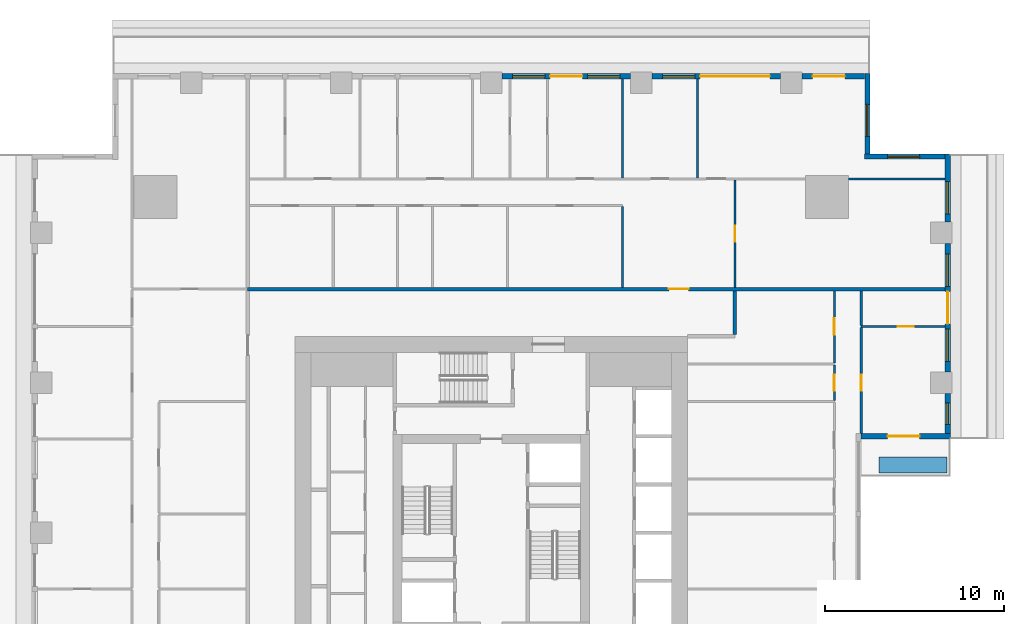
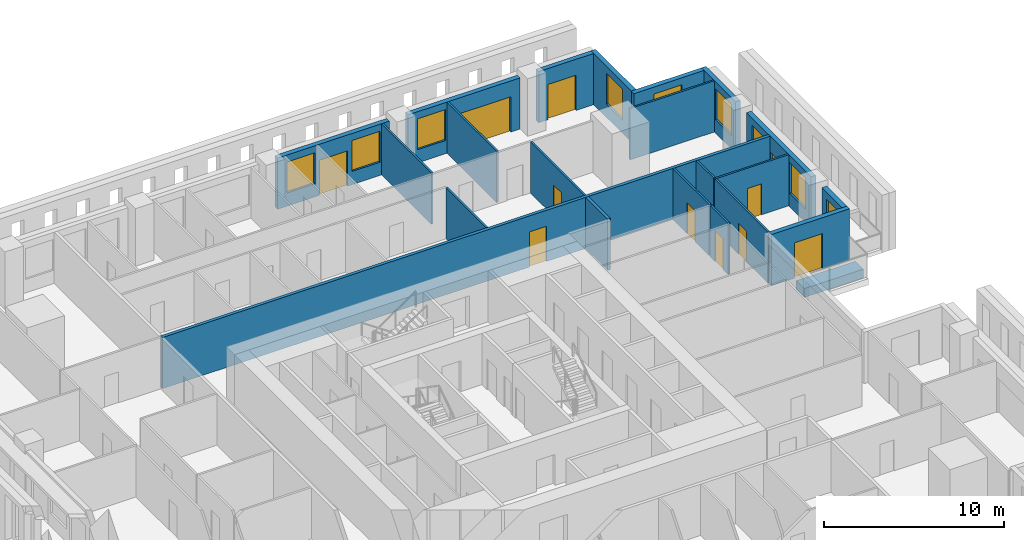
# One storey, part 8 of 15: 22 walls, 11 doors, 9 windows, 20 openings.
"""IFC4 building model written with IfcOpenShell, lengths in metres."""

from ifc_helpers import new_model, si_unit, direction, frame, frame_2d, origin, place, context, subcontext, project, spatial, rectangle, extrude, material, layer, layer_set, type_object, element, fill, save


model = new_model("IFC4")

# Units and contexts
model_context = context("Model", 3, precision=1e-05, world=origin(), true_north=direction((0.0, 1.0)))
body_context = subcontext(model_context, "Body", "Model", "MODEL_VIEW")
ifc_project = project(units=[si_unit("LENGTHUNIT", "METRE"), si_unit("AREAUNIT", "SQUARE_METRE"), si_unit("VOLUMEUNIT", "CUBIC_METRE"), si_unit("PLANEANGLEUNIT", "RADIAN"), si_unit("MASSUNIT", "GRAM", prefix="KILO")], contexts=[model_context])

# Site, building, storey
site_placement = place(None, origin())
site = spatial("IfcSite", under=ifc_project, at=site_placement, CompositionType="ELEMENT")
building_placement = place(site_placement, origin())
building = spatial("IfcBuilding", under=site, at=building_placement, Name="Khepri Terraces", CompositionType="ELEMENT")
storey_placement = place(building_placement, frame((0.0, 0.0, 196.199951171875)))
storey = spatial("IfcBuildingStorey", under=building, at=storey_placement, Name="L46", CompositionType="ELEMENT", Elevation=196.199951171875)

# Wall
ifc_material_1 = material(Name="Fire-rated gypsum plasterboard partition, mineral wool")
ifc_layer_1 = layer(ifc_material_1, 0.199951171875, Name="Fire-rated gypsum plasterboard partition, mineral wool")
ifc_layer_set_1 = layer_set([ifc_layer_1], Name="Fire-rated gypsum plasterboard partition, mineral wool")
wall_type_1 = type_object("IfcWallType", Name="WL-CORR-200", PredefinedType="PARTITIONING", material=ifc_layer_set_1)
wall_1_placement = place(storey_placement, frame((13.64990234375, 11.10009765625, 0.0), z_axis=(0.0, 0.0, 1.0), x_axis=(0.0, 1.0, 0.0)))
element("IfcWall", 1, at=wall_1_placement, inside=storey, type_object=wall_type_1, Name="Partition P-063 L46", PredefinedType="PARTITIONING", context=body_context, shape_type="SweptSolid", body=[
    extrude(rectangle(XDim=2.449951171875, YDim=0.199951171875, at=frame_2d((1.22509765625, 0.0))), origin(), (0.0, 0.0, 1.0), 3.47998046875),
])

# Wall, opening, door
wall_2_placement = place(storey_placement, frame((-13.64990234375, 13.64990234375, 0.0), z_axis=(0.0, 0.0, 1.0), x_axis=(1.0, 0.0, 0.0)))
wall_2 = element("IfcWall", 2, at=wall_2_placement, inside=storey, type_object=wall_type_1, Name="Partition P-069 L46", PredefinedType="PARTITIONING", context=body_context, shape_type="SweptSolid", body=[
    extrude(rectangle(XDim=39.06982421875, YDim=0.199951171875, at=frame_2d((19.534912109375, 0.0))), origin(), (0.0, 0.0, 1.0), 3.47998046875),
])
opening_1_placement = place(wall_2_placement, frame((23.60009765625, 0.0, 0.0)))
opening_1 = element("IfcOpeningElement", 3, at=opening_1_placement, cuts=wall_2, Name="Opening D1", PredefinedType="OPENING", context=body_context, shape_type="SweptSolid", body=[
    extrude(rectangle(XDim=1.10009765625, YDim=2.39990234375, at=frame_2d((0.550048828125, 1.199951171875))), frame((0.0, 0.10986328125, 0.0), z_axis=(0.0, -1.0, 0.0), x_axis=(1.0, 0.0, 0.0)), (0.0, 0.0, 1.0), 0.219970703125),
])
ifc_material_2 = material(Name="Solid-core timber door leaf, flat entrance door", Category="wood")
door_type_1 = type_object("IfcDoorType", Name="DR-ENT-1100", OperationType="NOTDEFINED", PredefinedType="DOOR", material=ifc_material_2)
door_1_placement = place(opening_1_placement, origin())
door_1 = element("IfcDoor", 4, at=door_1_placement, inside=storey, type_object=door_type_1, Name="Flat C1 entrance door", OperationType="SINGLE_SWING_RIGHT", OverallHeight=2.39990234375, OverallWidth=1.10009765625, PredefinedType="DOOR", context=body_context, shape_type="SweptSolid", body=[
    extrude(rectangle(XDim=1.10009765625, YDim=2.39990234375, at=frame_2d((0.550048828125, 1.199951171875))), frame((0.0, 0.02490234375, 0.0), z_axis=(0.0, -1.0, 0.0), x_axis=(1.0, 0.0, 0.0)), (0.0, 0.0, 1.0), 0.050048828125),
])
fill(opening_1, door_1)

ifc_material_3 = material(Name="Precast concrete C50/60 warm stone", Category="masonry")
ifc_layer_2 = layer(ifc_material_3, 0.300048828125, Name="Precast concrete C50/60 warm stone", Category="masonry")
ifc_layer_set_2 = layer_set([ifc_layer_2], Name="Precast concrete C50/60 warm stone")
wall_type_2 = type_object("IfcWallType", Name="WL-EXT-PRECAST-300", PredefinedType="STANDARD", material=ifc_layer_set_2)
wall_3_placement = place(storey_placement, frame((20.719970703125, 5.39990234375, 0.0), z_axis=(0.0, 0.0, 1.0), x_axis=(1.0, 0.0, 0.0)))
wall_3 = element("IfcWall", 5, at=wall_3_placement, inside=storey, type_object=wall_type_2, Name="External wall L46 S", PredefinedType="STANDARD", context=body_context, shape_type="SweptSolid", body=[
    extrude(rectangle(XDim=5.0, YDim=0.300048828125, at=frame_2d((2.5, 0.0))), origin(), (0.0, 0.0, 1.0), 3.47998046875),
])
opening_2_placement = place(wall_3_placement, frame((1.47998046875, 0.0, 0.0)))
opening_2 = element("IfcOpeningElement", 6, at=opening_2_placement, cuts=wall_3, Name="Opening ED-L46-06", PredefinedType="OPENING", context=body_context, shape_type="SweptSolid", body=[
    extrude(rectangle(XDim=1.800048828125, YDim=2.39990234375, at=frame_2d((0.89990234375, 1.199951171875))), frame((0.0, 0.16015625, 0.0), z_axis=(0.0, -1.0, 0.0), x_axis=(1.0, 0.0, 0.0)), (0.0, 0.0, 1.0), 0.320068359375),
])
ifc_material_4 = material(Name="Anodised aluminium bronze glazed door", Category="aluminium")
door_type_2 = type_object("IfcDoorType", Name="DR-BAL-SLIDE-1800x2400", OperationType="NOTDEFINED", PredefinedType="DOOR", material=ifc_material_4)
door_2_placement = place(opening_2_placement, origin())
door_2 = element("IfcDoor", 7, at=door_2_placement, inside=storey, type_object=door_type_2, Name="Balcony door L46 S", OperationType="SLIDING_TO_RIGHT", OverallHeight=2.39990234375, OverallWidth=1.800048828125, PredefinedType="DOOR", context=body_context, shape_type="SweptSolid", body=[
    extrude(rectangle(XDim=1.800048828125, YDim=2.39990234375, at=frame_2d((0.89990234375, 1.199951171875))), frame((0.0, 0.02490234375, 0.0), z_axis=(0.0, -1.0, 0.0), x_axis=(1.0, 0.0, 0.0)), (0.0, 0.0, 1.0), 0.050048828125),
])
fill(opening_2, door_2)

# Wall, opening, window
wall_4_placement = place(storey_placement, frame((25.570068359375, 5.550048828125, 0.0), z_axis=(0.0, 0.0, 1.0), x_axis=(0.0, 1.0, 0.0)))
wall_4 = element("IfcWall", 8, at=wall_4_placement, inside=storey, type_object=wall_type_2, Name="External wall L46 E", PredefinedType="STANDARD", context=body_context, shape_type="SweptSolid", body=[
    extrude(rectangle(XDim=2.25, YDim=0.300048828125, at=frame_2d((1.125, 0.0))), origin(), (0.0, 0.0, 1.0), 3.47998046875),
])
opening_3_placement = place(wall_4_placement, frame((0.52490234375, 0.0, 0.89990234375)))
opening_3 = element("IfcOpeningElement", 9, at=opening_3_placement, cuts=wall_4, Name="Opening W4", PredefinedType="OPENING", context=body_context, shape_type="SweptSolid", body=[
    extrude(rectangle(XDim=1.199951171875, YDim=2.10009765625, at=frame_2d((0.60009765625, 1.050048828125))), frame((0.0, 0.16015625, 0.0), z_axis=(0.0, -1.0, 0.0), x_axis=(1.0, 0.0, 0.0)), (0.0, 0.0, 1.0), 0.320068359375),
])
ifc_material_5 = material(Name="Clear glass", Category="glass")
window_type_1 = type_object("IfcWindowType", Name="WIN-RES-1200x2100", PartitioningType="SINGLE_PANEL", PredefinedType="WINDOW", material=ifc_material_5)
window_1_placement = place(opening_3_placement, origin())
window_1 = element("IfcWindow", 10, at=window_1_placement, inside=storey, type_object=window_type_1, Name="Window L46 E", OverallHeight=2.10009765625, OverallWidth=1.199951171875, PartitioningType="SINGLE_PANEL", PredefinedType="WINDOW", context=body_context, shape_type="SweptSolid", body=[
    extrude(rectangle(XDim=1.199951171875, YDim=2.10009765625, at=frame_2d((0.60009765625, 1.050048828125))), frame((0.0, 0.030029296875, 0.0), z_axis=(0.0, -1.0, 0.0), x_axis=(1.0, 0.0, 0.0)), (0.0, 0.0, 1.0), 0.06005859375),
])
fill(opening_3, window_1)

# Wall, openings, door, windows
wall_5_placement = place(storey_placement, frame((25.570068359375, 9.0, 0.0), z_axis=(0.0, 0.0, 1.0), x_axis=(0.0, 1.0, 0.0)))
wall_5 = element("IfcWall", 11, at=wall_5_placement, inside=storey, type_object=wall_type_2, Name="External wall L46 E", PredefinedType="STANDARD", context=body_context, shape_type="SweptSolid", body=[
    extrude(rectangle(XDim=7.199951171875, YDim=0.300048828125, at=frame_2d((3.60009765625, 0.0))), origin(), (0.0, 0.0, 1.0), 3.47998046875),
])
opening_4_placement = place(wall_5_placement, frame((0.60009765625, 0.0, 0.89990234375)))
opening_4 = element("IfcOpeningElement", 12, at=opening_4_placement, cuts=wall_5, Name="Opening W1", PredefinedType="OPENING", context=body_context, shape_type="SweptSolid", body=[
    extrude(rectangle(XDim=1.800048828125, YDim=2.10009765625, at=frame_2d((0.89990234375, 1.050048828125))), frame((0.0, 0.16015625, 0.0), z_axis=(0.0, -1.0, 0.0), x_axis=(1.0, 0.0, 0.0)), (0.0, 0.0, 1.0), 0.320068359375),
])
opening_5_placement = place(wall_5_placement, frame((2.699951171875, 0.0, 0.0)))
opening_5 = element("IfcOpeningElement", 13, at=opening_5_placement, cuts=wall_5, Name="Opening ED-L46-07", PredefinedType="OPENING", context=body_context, shape_type="SweptSolid", body=[
    extrude(rectangle(XDim=1.800048828125, YDim=2.39990234375, at=frame_2d((0.89990234375, 1.199951171875))), frame((0.0, 0.16015625, 0.0), z_axis=(0.0, -1.0, 0.0), x_axis=(1.0, 0.0, 0.0)), (0.0, 0.0, 1.0), 0.320068359375),
])
opening_6_placement = place(wall_5_placement, frame((4.800048828125, 0.0, 0.89990234375)))
opening_6 = element("IfcOpeningElement", 14, at=opening_6_placement, cuts=wall_5, Name="Opening W1", PredefinedType="OPENING", context=body_context, shape_type="SweptSolid", body=[
    extrude(rectangle(XDim=1.800048828125, YDim=2.10009765625, at=frame_2d((0.89990234375, 1.050048828125))), frame((0.0, 0.16015625, 0.0), z_axis=(0.0, -1.0, 0.0), x_axis=(1.0, 0.0, 0.0)), (0.0, 0.0, 1.0), 0.320068359375),
])
door_3_placement = place(opening_5_placement, origin())
door_3 = element("IfcDoor", 15, at=door_3_placement, inside=storey, type_object=door_type_2, Name="Balcony door L46 E", OperationType="SLIDING_TO_RIGHT", OverallHeight=2.39990234375, OverallWidth=1.800048828125, PredefinedType="DOOR", context=body_context, shape_type="SweptSolid", body=[
    extrude(rectangle(XDim=1.800048828125, YDim=2.39990234375, at=frame_2d((0.89990234375, 1.199951171875))), frame((0.0, 0.02490234375, 0.0), z_axis=(0.0, -1.0, 0.0), x_axis=(1.0, 0.0, 0.0)), (0.0, 0.0, 1.0), 0.050048828125),
])
fill(opening_5, door_3)
window_type_2 = type_object("IfcWindowType", Name="WIN-RES-1800x2100", PartitioningType="SINGLE_PANEL", PredefinedType="WINDOW", material=ifc_material_5)
window_2_placement = place(opening_4_placement, origin())
window_2 = element("IfcWindow", 16, at=window_2_placement, inside=storey, type_object=window_type_2, Name="Window L46 E", OverallHeight=2.10009765625, OverallWidth=1.800048828125, PartitioningType="SINGLE_PANEL", PredefinedType="WINDOW", context=body_context, shape_type="SweptSolid", body=[
    extrude(rectangle(XDim=1.800048828125, YDim=2.10009765625, at=frame_2d((0.89990234375, 1.050048828125))), frame((0.0, 0.030029296875, 0.0), z_axis=(0.0, -1.0, 0.0), x_axis=(1.0, 0.0, 0.0)), (0.0, 0.0, 1.0), 0.06005859375),
])
fill(opening_4, window_2)
window_3_placement = place(opening_6_placement, origin())
window_3 = element("IfcWindow", 17, at=window_3_placement, inside=storey, type_object=window_type_2, Name="Window L46 E", OverallHeight=2.10009765625, OverallWidth=1.800048828125, PartitioningType="SINGLE_PANEL", PredefinedType="WINDOW", context=body_context, shape_type="SweptSolid", body=[
    extrude(rectangle(XDim=1.800048828125, YDim=2.10009765625, at=frame_2d((0.89990234375, 1.050048828125))), frame((0.0, 0.030029296875, 0.0), z_axis=(0.0, -1.0, 0.0), x_axis=(1.0, 0.0, 0.0)), (0.0, 0.0, 1.0), 0.06005859375),
])
fill(opening_6, window_3)

# Wall, opening, window
wall_6_placement = place(storey_placement, frame((25.570068359375, 17.39990234375, 0.0), z_axis=(0.0, 0.0, 1.0), x_axis=(0.0, 1.0, 0.0)))
wall_6 = element("IfcWall", 18, at=wall_6_placement, inside=storey, type_object=wall_type_2, Name="External wall L46 E", PredefinedType="STANDARD", context=body_context, shape_type="SweptSolid", body=[
    extrude(rectangle(XDim=3.820068359375, YDim=0.300048828125, at=frame_2d((1.91015625, 0.0))), origin(), (0.0, 0.0, 1.0), 3.47998046875),
])
opening_7_placement = place(wall_6_placement, frame((0.4599609375, 0.0, 0.89990234375)))
opening_7 = element("IfcOpeningElement", 19, at=opening_7_placement, cuts=wall_6, Name="Opening W1", PredefinedType="OPENING", context=body_context, shape_type="SweptSolid", body=[
    extrude(rectangle(XDim=1.800048828125, YDim=2.10009765625, at=frame_2d((0.89990234375, 1.050048828125))), frame((0.0, 0.16015625, 0.0), z_axis=(0.0, -1.0, 0.0), x_axis=(1.0, 0.0, 0.0)), (0.0, 0.0, 1.0), 0.320068359375),
])
window_4_placement = place(opening_7_placement, origin())
window_4 = element("IfcWindow", 20, at=window_4_placement, inside=storey, type_object=window_type_2, Name="Window L46 E", OverallHeight=2.10009765625, OverallWidth=1.800048828125, PartitioningType="SINGLE_PANEL", PredefinedType="WINDOW", context=body_context, shape_type="SweptSolid", body=[
    extrude(rectangle(XDim=1.800048828125, YDim=2.10009765625, at=frame_2d((0.89990234375, 1.050048828125))), frame((0.0, 0.030029296875, 0.0), z_axis=(0.0, -1.0, 0.0), x_axis=(1.0, 0.0, 0.0)), (0.0, 0.0, 1.0), 0.06005859375),
])
fill(opening_7, window_4)

wall_7_placement = place(storey_placement, frame((25.419921875, 21.070068359375, 0.0), z_axis=(0.0, 0.0, 1.0), x_axis=(-1.0, 0.0, 0.0)))
wall_7 = element("IfcWall", 21, at=wall_7_placement, inside=storey, type_object=wall_type_2, Name="External wall L46 N", PredefinedType="STANDARD", context=body_context, shape_type="SweptSolid", body=[
    extrude(rectangle(XDim=4.5, YDim=0.300048828125, at=frame_2d((2.25, 0.0))), origin(), (0.0, 0.0, 1.0), 3.47998046875),
])
opening_8_placement = place(wall_7_placement, frame((1.419921875, 0.0, 0.89990234375)))
opening_8 = element("IfcOpeningElement", 22, at=opening_8_placement, cuts=wall_7, Name="Opening W1", PredefinedType="OPENING", context=body_context, shape_type="SweptSolid", body=[
    extrude(rectangle(XDim=1.800048828125, YDim=2.10009765625, at=frame_2d((0.89990234375, 1.050048828125))), frame((0.0, 0.16015625, 0.0), z_axis=(0.0, -1.0, 0.0), x_axis=(1.0, 0.0, 0.0)), (0.0, 0.0, 1.0), 0.320068359375),
])
window_5_placement = place(opening_8_placement, origin())
window_5 = element("IfcWindow", 23, at=window_5_placement, inside=storey, type_object=window_type_2, Name="Window L46 N", OverallHeight=2.10009765625, OverallWidth=1.800048828125, PartitioningType="SINGLE_PANEL", PredefinedType="WINDOW", context=body_context, shape_type="SweptSolid", body=[
    extrude(rectangle(XDim=1.800048828125, YDim=2.10009765625, at=frame_2d((0.89990234375, 1.050048828125))), frame((0.0, 0.030029296875, 0.0), z_axis=(0.0, -1.0, 0.0), x_axis=(1.0, 0.0, 0.0)), (0.0, 0.0, 1.0), 0.06005859375),
])
fill(opening_8, window_5)

wall_8_placement = place(storey_placement, frame((21.070068359375, 21.219970703125, 0.0), z_axis=(0.0, 0.0, 1.0), x_axis=(0.0, 1.0, 0.0)))
wall_8 = element("IfcWall", 24, at=wall_8_placement, inside=storey, type_object=wall_type_2, Name="External wall L46 E", PredefinedType="STANDARD", context=body_context, shape_type="SweptSolid", body=[
    extrude(rectangle(XDim=4.5, YDim=0.300048828125, at=frame_2d((2.25, 0.0))), origin(), (0.0, 0.0, 1.0), 3.47998046875),
])
opening_9_placement = place(wall_8_placement, frame((0.97998046875, 0.0, 0.89990234375)))
opening_9 = element("IfcOpeningElement", 25, at=opening_9_placement, cuts=wall_8, Name="Opening W1", PredefinedType="OPENING", context=body_context, shape_type="SweptSolid", body=[
    extrude(rectangle(XDim=1.800048828125, YDim=2.10009765625, at=frame_2d((0.89990234375, 1.050048828125))), frame((0.0, 0.16015625, 0.0), z_axis=(0.0, -1.0, 0.0), x_axis=(1.0, 0.0, 0.0)), (0.0, 0.0, 1.0), 0.320068359375),
])
window_6_placement = place(opening_9_placement, origin())
window_6 = element("IfcWindow", 26, at=window_6_placement, inside=storey, type_object=window_type_2, Name="Window L46 E", OverallHeight=2.10009765625, OverallWidth=1.800048828125, PartitioningType="SINGLE_PANEL", PredefinedType="WINDOW", context=body_context, shape_type="SweptSolid", body=[
    extrude(rectangle(XDim=1.800048828125, YDim=2.10009765625, at=frame_2d((0.89990234375, 1.050048828125))), frame((0.0, 0.030029296875, 0.0), z_axis=(0.0, -1.0, 0.0), x_axis=(1.0, 0.0, 0.0)), (0.0, 0.0, 1.0), 0.06005859375),
])
fill(opening_9, window_6)

# Wall, opening, door
wall_9_placement = place(storey_placement, frame((20.919921875, 25.570068359375, 0.0), z_axis=(0.0, 0.0, 1.0), x_axis=(-1.0, 0.0, 0.0)))
wall_9 = element("IfcWall", 27, at=wall_9_placement, inside=storey, type_object=wall_type_2, Name="External wall L46 N", PredefinedType="STANDARD", context=body_context, shape_type="SweptSolid", body=[
    extrude(rectangle(XDim=3.52001953125, YDim=0.300048828125, at=frame_2d((1.760009765625, 0.0))), origin(), (0.0, 0.0, 1.0), 3.47998046875),
])
opening_10_placement = place(wall_9_placement, frame((1.1201171875, 0.0, 0.0)))
opening_10 = element("IfcOpeningElement", 28, at=opening_10_placement, cuts=wall_9, Name="Opening ED-L46-08", PredefinedType="OPENING", context=body_context, shape_type="SweptSolid", body=[
    extrude(rectangle(XDim=1.800048828125, YDim=2.39990234375, at=frame_2d((0.89990234375, 1.199951171875))), frame((0.0, 0.16015625, 0.0), z_axis=(0.0, -1.0, 0.0), x_axis=(1.0, 0.0, 0.0)), (0.0, 0.0, 1.0), 0.320068359375),
])
door_4_placement = place(opening_10_placement, origin())
door_4 = element("IfcDoor", 29, at=door_4_placement, inside=storey, type_object=door_type_2, Name="Balcony door L46 N", OperationType="SLIDING_TO_RIGHT", OverallHeight=2.39990234375, OverallWidth=1.800048828125, PredefinedType="DOOR", context=body_context, shape_type="SweptSolid", body=[
    extrude(rectangle(XDim=1.800048828125, YDim=2.39990234375, at=frame_2d((0.89990234375, 1.199951171875))), frame((0.0, 0.02490234375, 0.0), z_axis=(0.0, -1.0, 0.0), x_axis=(1.0, 0.0, 0.0)), (0.0, 0.0, 1.0), 0.050048828125),
])
fill(opening_10, door_4)

# Wall, openings, door, window
wall_10_placement = place(storey_placement, frame((16.199951171875, 25.570068359375, 0.0), z_axis=(0.0, 0.0, 1.0), x_axis=(-1.0, 0.0, 0.0)))
wall_10 = element("IfcWall", 30, at=wall_10_placement, inside=storey, type_object=wall_type_2, Name="External wall L46 N", PredefinedType="STANDARD", context=body_context, shape_type="SweptSolid", body=[
    extrude(rectangle(XDim=7.199951171875, YDim=0.300048828125, at=frame_2d((3.60009765625, 0.0))), origin(), (0.0, 0.0, 1.0), 3.47998046875),
])
opening_11_placement = place(wall_10_placement, frame((0.60009765625, 0.0, 0.0)))
opening_11 = element("IfcOpeningElement", 31, at=opening_11_placement, cuts=wall_10, Name="Opening ED-L46-09", PredefinedType="OPENING", context=body_context, shape_type="SweptSolid", body=[
    extrude(rectangle(XDim=3.89990234375, YDim=2.39990234375, at=frame_2d((1.949951171875, 1.199951171875))), frame((0.0, 0.16015625, 0.0), z_axis=(0.0, -1.0, 0.0), x_axis=(1.0, 0.0, 0.0)), (0.0, 0.0, 1.0), 0.320068359375),
])
opening_12_placement = place(wall_10_placement, frame((4.800048828125, 0.0, 0.89990234375)))
opening_12 = element("IfcOpeningElement", 32, at=opening_12_placement, cuts=wall_10, Name="Opening W1", PredefinedType="OPENING", context=body_context, shape_type="SweptSolid", body=[
    extrude(rectangle(XDim=1.800048828125, YDim=2.10009765625, at=frame_2d((0.89990234375, 1.050048828125))), frame((0.0, 0.16015625, 0.0), z_axis=(0.0, -1.0, 0.0), x_axis=(1.0, 0.0, 0.0)), (0.0, 0.0, 1.0), 0.320068359375),
])
door_type_3 = type_object("IfcDoorType", Name="DR-BAL-SLIDE-3900x2400", OperationType="NOTDEFINED", PredefinedType="DOOR", material=ifc_material_4)
door_5_placement = place(opening_11_placement, origin())
door_5 = element("IfcDoor", 33, at=door_5_placement, inside=storey, type_object=door_type_3, Name="Balcony door L46 N", OperationType="SLIDING_TO_LEFT", OverallHeight=2.39990234375, OverallWidth=3.89990234375, PredefinedType="DOOR", context=body_context, shape_type="SweptSolid", body=[
    extrude(rectangle(XDim=3.89990234375, YDim=2.39990234375, at=frame_2d((1.949951171875, 1.199951171875))), frame((0.0, 0.02490234375, 0.0), z_axis=(0.0, -1.0, 0.0), x_axis=(1.0, 0.0, 0.0)), (0.0, 0.0, 1.0), 0.050048828125),
])
fill(opening_11, door_5)
window_7_placement = place(opening_12_placement, origin())
window_7 = element("IfcWindow", 34, at=window_7_placement, inside=storey, type_object=window_type_2, Name="Window L46 N", OverallHeight=2.10009765625, OverallWidth=1.800048828125, PartitioningType="SINGLE_PANEL", PredefinedType="WINDOW", context=body_context, shape_type="SweptSolid", body=[
    extrude(rectangle(XDim=1.800048828125, YDim=2.10009765625, at=frame_2d((0.89990234375, 1.050048828125))), frame((0.0, 0.030029296875, 0.0), z_axis=(0.0, -1.0, 0.0), x_axis=(1.0, 0.0, 0.0)), (0.0, 0.0, 1.0), 0.06005859375),
])
fill(opening_12, window_7)

# Wall, openings, door, windows
wall_11_placement = place(storey_placement, frame((7.800048828125, 25.570068359375, 0.0), z_axis=(0.0, 0.0, 1.0), x_axis=(-1.0, 0.0, 0.0)))
wall_11 = element("IfcWall", 35, at=wall_11_placement, inside=storey, type_object=wall_type_2, Name="External wall L46 N", PredefinedType="STANDARD", context=body_context, shape_type="SweptSolid", body=[
    extrude(rectangle(XDim=7.199951171875, YDim=0.300048828125, at=frame_2d((3.60009765625, 0.0))), origin(), (0.0, 0.0, 1.0), 3.47998046875),
])
opening_13_placement = place(wall_11_placement, frame((0.60009765625, 0.0, 0.89990234375)))
opening_13 = element("IfcOpeningElement", 36, at=opening_13_placement, cuts=wall_11, Name="Opening W1", PredefinedType="OPENING", context=body_context, shape_type="SweptSolid", body=[
    extrude(rectangle(XDim=1.800048828125, YDim=2.10009765625, at=frame_2d((0.89990234375, 1.050048828125))), frame((0.0, 0.16015625, 0.0), z_axis=(0.0, -1.0, 0.0), x_axis=(1.0, 0.0, 0.0)), (0.0, 0.0, 1.0), 0.320068359375),
])
opening_14_placement = place(wall_11_placement, frame((2.699951171875, 0.0, 0.0)))
opening_14 = element("IfcOpeningElement", 37, at=opening_14_placement, cuts=wall_11, Name="Opening ED-L46-10", PredefinedType="OPENING", context=body_context, shape_type="SweptSolid", body=[
    extrude(rectangle(XDim=1.800048828125, YDim=2.39990234375, at=frame_2d((0.89990234375, 1.199951171875))), frame((0.0, 0.16015625, 0.0), z_axis=(0.0, -1.0, 0.0), x_axis=(1.0, 0.0, 0.0)), (0.0, 0.0, 1.0), 0.320068359375),
])
opening_15_placement = place(wall_11_placement, frame((4.800048828125, 0.0, 0.89990234375)))
opening_15 = element("IfcOpeningElement", 38, at=opening_15_placement, cuts=wall_11, Name="Opening W1", PredefinedType="OPENING", context=body_context, shape_type="SweptSolid", body=[
    extrude(rectangle(XDim=1.800048828125, YDim=2.10009765625, at=frame_2d((0.89990234375, 1.050048828125))), frame((0.0, 0.16015625, 0.0), z_axis=(0.0, -1.0, 0.0), x_axis=(1.0, 0.0, 0.0)), (0.0, 0.0, 1.0), 0.320068359375),
])
door_6_placement = place(opening_14_placement, origin())
door_6 = element("IfcDoor", 39, at=door_6_placement, inside=storey, type_object=door_type_2, Name="Balcony door L46 N", OperationType="SLIDING_TO_LEFT", OverallHeight=2.39990234375, OverallWidth=1.800048828125, PredefinedType="DOOR", context=body_context, shape_type="SweptSolid", body=[
    extrude(rectangle(XDim=1.800048828125, YDim=2.39990234375, at=frame_2d((0.89990234375, 1.199951171875))), frame((0.0, 0.02490234375, 0.0), z_axis=(0.0, -1.0, 0.0), x_axis=(1.0, 0.0, 0.0)), (0.0, 0.0, 1.0), 0.050048828125),
])
fill(opening_14, door_6)
window_8_placement = place(opening_13_placement, origin())
window_8 = element("IfcWindow", 40, at=window_8_placement, inside=storey, type_object=window_type_2, Name="Window L46 N", OverallHeight=2.10009765625, OverallWidth=1.800048828125, PartitioningType="SINGLE_PANEL", PredefinedType="WINDOW", context=body_context, shape_type="SweptSolid", body=[
    extrude(rectangle(XDim=1.800048828125, YDim=2.10009765625, at=frame_2d((0.89990234375, 1.050048828125))), frame((0.0, 0.030029296875, 0.0), z_axis=(0.0, -1.0, 0.0), x_axis=(1.0, 0.0, 0.0)), (0.0, 0.0, 1.0), 0.06005859375),
])
fill(opening_13, window_8)
window_9_placement = place(opening_15_placement, origin())
window_9 = element("IfcWindow", 41, at=window_9_placement, inside=storey, type_object=window_type_2, Name="Window L46 N", OverallHeight=2.10009765625, OverallWidth=1.800048828125, PartitioningType="SINGLE_PANEL", PredefinedType="WINDOW", context=body_context, shape_type="SweptSolid", body=[
    extrude(rectangle(XDim=1.800048828125, YDim=2.10009765625, at=frame_2d((0.89990234375, 1.050048828125))), frame((0.0, 0.030029296875, 0.0), z_axis=(0.0, -1.0, 0.0), x_axis=(1.0, 0.0, 0.0)), (0.0, 0.0, 1.0), 0.06005859375),
])
fill(opening_15, window_9)

# Wall, opening, door
ifc_material_6 = material(Name="Gypsum plasterboard partition")
ifc_layer_3 = layer(ifc_material_6, 0.1201171875, Name="Gypsum plasterboard partition")
ifc_layer_set_3 = layer_set([ifc_layer_3], Name="Gypsum plasterboard partition")
wall_type_3 = type_object("IfcWallType", Name="WL-PART-120", PredefinedType="PARTITIONING", material=ifc_layer_set_3)
wall_12_placement = place(storey_placement, frame((20.719970703125, 5.550048828125, 0.0), z_axis=(0.0, 0.0, 1.0), x_axis=(0.0, 1.0, 0.0)))
wall_12 = element("IfcWall", 42, at=wall_12_placement, inside=storey, type_object=wall_type_3, Name="Partition P-055 L46", PredefinedType="PARTITIONING", context=body_context, shape_type="SweptSolid", body=[
    extrude(rectangle(XDim=5.93994140625, YDim=0.1201171875, at=frame_2d((2.969970703125, 0.0))), origin(), (0.0, 0.0, 1.0), 3.47998046875),
])
opening_16_placement = place(wall_12_placement, frame((2.39990234375, 0.0, 0.0)))
opening_16 = element("IfcOpeningElement", 43, at=opening_16_placement, cuts=wall_12, Name="Opening D3", PredefinedType="OPENING", context=body_context, shape_type="SweptSolid", body=[
    extrude(rectangle(XDim=0.89990234375, YDim=2.10009765625, at=frame_2d((0.449951171875, 1.050048828125))), frame((0.0, 0.070068359375, 0.0), z_axis=(0.0, -1.0, 0.0), x_axis=(1.0, 0.0, 0.0)), (0.0, 0.0, 1.0), 0.14013671875),
])
ifc_material_7 = material(Name="Timber door leaf", Category="wood")
door_type_4 = type_object("IfcDoorType", Name="DR-INT-900", OperationType="NOTDEFINED", PredefinedType="DOOR", material=ifc_material_7)
door_7_placement = place(opening_16_placement, frame((0.89990234375, 0.0, 0.0), z_axis=(0.0, 0.0, 1.0), x_axis=(-1.0, 0.0, 0.0)))
door_7 = element("IfcDoor", 44, at=door_7_placement, inside=storey, type_object=door_type_4, Name="Door Bedroom", OperationType="SINGLE_SWING_RIGHT", OverallHeight=2.10009765625, OverallWidth=0.89990234375, PredefinedType="DOOR", context=body_context, shape_type="SweptSolid", body=[
    extrude(rectangle(XDim=0.89990234375, YDim=2.10009765625, at=frame_2d((0.449951171875, 1.050048828125))), frame((0.0, 0.02490234375, 0.0), z_axis=(0.0, -1.0, 0.0), x_axis=(1.0, 0.0, 0.0)), (0.0, 0.0, 1.0), 0.050048828125),
])
fill(opening_16, door_7)

wall_13_placement = place(storey_placement, frame((19.219970703125, 7.409912109375, 0.0), z_axis=(0.0, 0.0, 1.0), x_axis=(0.0, 1.0, 0.0)))
wall_13 = element("IfcWall", 45, at=wall_13_placement, inside=storey, type_object=wall_type_3, Name="Partition P-059 L46", PredefinedType="PARTITIONING", context=body_context, shape_type="SweptSolid", body=[
    extrude(rectangle(XDim=1.97998046875, YDim=0.1201171875, at=frame_2d((0.989990234375, 0.0))), origin(), (0.0, 0.0, 1.0), 3.47998046875),
])
opening_17_placement = place(wall_13_placement, frame((0.5400390625, 0.0, 0.0)))
opening_17 = element("IfcOpeningElement", 46, at=opening_17_placement, cuts=wall_13, Name="Opening D4", PredefinedType="OPENING", context=body_context, shape_type="SweptSolid", body=[
    extrude(rectangle(XDim=0.89990234375, YDim=2.10009765625, at=frame_2d((0.449951171875, 1.050048828125))), frame((0.0, 0.070068359375, 0.0), z_axis=(0.0, -1.0, 0.0), x_axis=(1.0, 0.0, 0.0)), (0.0, 0.0, 1.0), 0.14013671875),
])
ifc_material_8 = material(Name="Timber door leaf, moisture resistant", Category="wood")
door_type_5 = type_object("IfcDoorType", Name="DR-WET-900", OperationType="NOTDEFINED", PredefinedType="DOOR", material=ifc_material_8)
door_8_placement = place(opening_17_placement, origin())
door_8 = element("IfcDoor", 47, at=door_8_placement, inside=storey, type_object=door_type_5, Name="Door Guest Bathroom", OperationType="SINGLE_SWING_LEFT", OverallHeight=2.10009765625, OverallWidth=0.89990234375, PredefinedType="DOOR", context=body_context, shape_type="SweptSolid", body=[
    extrude(rectangle(XDim=0.89990234375, YDim=2.10009765625, at=frame_2d((0.449951171875, 1.050048828125))), frame((0.0, 0.02490234375, 0.0), z_axis=(0.0, -1.0, 0.0), x_axis=(1.0, 0.0, 0.0)), (0.0, 0.0, 1.0), 0.050048828125),
])
fill(opening_17, door_8)

wall_14_placement = place(storey_placement, frame((19.219970703125, 9.510009765625, 0.0), z_axis=(0.0, 0.0, 1.0), x_axis=(0.0, 1.0, 0.0)))
wall_14 = element("IfcWall", 48, at=wall_14_placement, inside=storey, type_object=wall_type_3, Name="Partition P-061 L46", PredefinedType="PARTITIONING", context=body_context, shape_type="SweptSolid", body=[
    extrude(rectangle(XDim=4.0400390625, YDim=0.1201171875, at=frame_2d((2.02001953125, 0.0))), origin(), (0.0, 0.0, 1.0), 3.47998046875),
])
opening_18_placement = place(wall_14_placement, frame((1.590087890625, 0.0, 0.0)))
opening_18 = element("IfcOpeningElement", 49, at=opening_18_placement, cuts=wall_14, Name="Opening D3", PredefinedType="OPENING", context=body_context, shape_type="SweptSolid", body=[
    extrude(rectangle(XDim=0.89990234375, YDim=2.10009765625, at=frame_2d((0.449951171875, 1.050048828125))), frame((0.0, 0.070068359375, 0.0), z_axis=(0.0, -1.0, 0.0), x_axis=(1.0, 0.0, 0.0)), (0.0, 0.0, 1.0), 0.14013671875),
])
door_9_placement = place(opening_18_placement, origin())
door_9 = element("IfcDoor", 50, at=door_9_placement, inside=storey, type_object=door_type_4, Name="Door Library", OperationType="SINGLE_SWING_RIGHT", OverallHeight=2.10009765625, OverallWidth=0.89990234375, PredefinedType="DOOR", context=body_context, shape_type="SweptSolid", body=[
    extrude(rectangle(XDim=0.89990234375, YDim=2.10009765625, at=frame_2d((0.449951171875, 1.050048828125))), frame((0.0, 0.02490234375, 0.0), z_axis=(0.0, -1.0, 0.0), x_axis=(1.0, 0.0, 0.0)), (0.0, 0.0, 1.0), 0.050048828125),
])
fill(opening_18, door_9)

wall_15_placement = place(storey_placement, frame((20.719970703125, 11.550048828125, 0.0), z_axis=(0.0, 0.0, 1.0), x_axis=(1.0, 0.0, 0.0)))
wall_15 = element("IfcWall", 51, at=wall_15_placement, inside=storey, type_object=wall_type_3, Name="Partition P-065 L46", PredefinedType="PARTITIONING", context=body_context, shape_type="SweptSolid", body=[
    extrude(rectangle(XDim=4.699951171875, YDim=0.1201171875, at=frame_2d((2.35009765625, 0.0))), origin(), (0.0, 0.0, 1.0), 3.47998046875),
])
opening_19_placement = place(wall_15_placement, frame((2.050048828125, 0.0, 0.0)))
opening_19 = element("IfcOpeningElement", 52, at=opening_19_placement, cuts=wall_15, Name="Opening D4", PredefinedType="OPENING", context=body_context, shape_type="SweptSolid", body=[
    extrude(rectangle(XDim=0.89990234375, YDim=2.10009765625, at=frame_2d((0.449951171875, 1.050048828125))), frame((0.0, 0.070068359375, 0.0), z_axis=(0.0, -1.0, 0.0), x_axis=(1.0, 0.0, 0.0)), (0.0, 0.0, 1.0), 0.14013671875),
])
door_10_placement = place(opening_19_placement, origin())
door_10 = element("IfcDoor", 53, at=door_10_placement, inside=storey, type_object=door_type_5, Name="Door Bathroom", OperationType="SINGLE_SWING_RIGHT", OverallHeight=2.10009765625, OverallWidth=0.89990234375, PredefinedType="DOOR", context=body_context, shape_type="SweptSolid", body=[
    extrude(rectangle(XDim=0.89990234375, YDim=2.10009765625, at=frame_2d((0.449951171875, 1.050048828125))), frame((0.0, 0.02490234375, 0.0), z_axis=(0.0, -1.0, 0.0), x_axis=(1.0, 0.0, 0.0)), (0.0, 0.0, 1.0), 0.050048828125),
])
fill(opening_19, door_10)

# Walls
wall_16_placement = place(storey_placement, frame((20.719970703125, 11.610107421875, 0.0), z_axis=(0.0, 0.0, 1.0), x_axis=(0.0, 1.0, 0.0)))
element("IfcWall", 54, at=wall_16_placement, inside=storey, type_object=wall_type_3, Name="Partition P-067 L46", PredefinedType="PARTITIONING", context=body_context, shape_type="SweptSolid", body=[
    extrude(rectangle(XDim=1.93994140625, YDim=0.1201171875, at=frame_2d((0.969970703125, 0.0))), origin(), (0.0, 0.0, 1.0), 3.47998046875),
])
wall_17_placement = place(storey_placement, frame((7.35009765625, 13.75, 0.0), z_axis=(0.0, 0.0, 1.0), x_axis=(0.0, 1.0, 0.0)))
element("IfcWall", 55, at=wall_17_placement, inside=storey, type_object=wall_type_3, Name="Partition P-076 L46", PredefinedType="PARTITIONING", context=body_context, shape_type="SweptSolid", body=[
    extrude(rectangle(XDim=4.510009765625, YDim=0.1201171875, at=frame_2d((2.2548828125, 0.0))), origin(), (0.0, 0.0, 1.0), 3.47998046875),
])

# Wall, opening, door
wall_18_placement = place(storey_placement, frame((13.64990234375, 13.75, 0.0), z_axis=(0.0, 0.0, 1.0), x_axis=(0.0, 1.0, 0.0)))
wall_18 = element("IfcWall", 56, at=wall_18_placement, inside=storey, type_object=wall_type_3, Name="Partition P-077 L46", PredefinedType="PARTITIONING", context=body_context, shape_type="SweptSolid", body=[
    extrude(rectangle(XDim=6.010009765625, YDim=0.1201171875, at=frame_2d((3.0048828125, 0.0))), origin(), (0.0, 0.0, 1.0), 3.47998046875),
])
opening_20_placement = place(wall_18_placement, frame((2.534912109375, 0.0, 0.0)))
opening_20 = element("IfcOpeningElement", 57, at=opening_20_placement, cuts=wall_18, Name="Opening D3", PredefinedType="OPENING", context=body_context, shape_type="SweptSolid", body=[
    extrude(rectangle(XDim=0.89990234375, YDim=2.10009765625, at=frame_2d((0.449951171875, 1.050048828125))), frame((0.0, 0.070068359375, 0.0), z_axis=(0.0, -1.0, 0.0), x_axis=(1.0, 0.0, 0.0)), (0.0, 0.0, 1.0), 0.14013671875),
])
door_11_placement = place(opening_20_placement, frame((0.89990234375, 0.0, 0.0), z_axis=(0.0, 0.0, 1.0), x_axis=(-1.0, 0.0, 0.0)))
door_11 = element("IfcDoor", 58, at=door_11_placement, inside=storey, type_object=door_type_4, Name="Door Library", OperationType="SINGLE_SWING_RIGHT", OverallHeight=2.10009765625, OverallWidth=0.89990234375, PredefinedType="DOOR", context=body_context, shape_type="SweptSolid", body=[
    extrude(rectangle(XDim=0.89990234375, YDim=2.10009765625, at=frame_2d((0.449951171875, 1.050048828125))), frame((0.0, 0.02490234375, 0.0), z_axis=(0.0, -1.0, 0.0), x_axis=(1.0, 0.0, 0.0)), (0.0, 0.0, 1.0), 0.050048828125),
])
fill(opening_20, door_11)

# Walls
wall_19_placement = place(storey_placement, frame((20.0, 19.820068359375, 0.0), z_axis=(0.0, 0.0, 1.0), x_axis=(1.0, 0.0, 0.0)))
element("IfcWall", 59, at=wall_19_placement, inside=storey, type_object=wall_type_3, Name="Partition P-080 L46", PredefinedType="PARTITIONING", context=body_context, shape_type="SweptSolid", body=[
    extrude(rectangle(XDim=5.419921875, YDim=0.1201171875, at=frame_2d((2.7099609375, 0.0))), origin(), (0.0, 0.0, 1.0), 3.47998046875),
])
for number, where, z_axis, x_axis, name in (
    (60, (7.35009765625, 19.8798828125, 0.0), (0.0, 0.0, 1.0), (0.0, 1.0, 0.0), "Partition P-087 L46"),
    (61, (11.550048828125, 19.8798828125, 0.0), (0.0, 0.0, 1.0), (0.0, 1.0, 0.0), "Partition P-088 L46"),
):
    element("IfcWall", number, at=place(storey_placement, frame(where, z_axis=z_axis, x_axis=x_axis)), inside=storey, type_object=wall_type_3, Name=name, PredefinedType="PARTITIONING", context=body_context, shape_type="SweptSolid", body=[
        extrude(rectangle(XDim=5.5400390625, YDim=0.1201171875, at=frame_2d((2.77001953125, 0.0))), origin(), (0.0, 0.0, 1.0), 3.47998046875),
    ])
ifc_layer_4 = layer(ifc_material_3, 0.89990234375, Name="Precast concrete C50/60 warm stone", Category="masonry")
ifc_layer_set_4 = layer_set([ifc_layer_4], Name="Precast concrete C50/60 warm stone")
wall_type_4 = type_object("IfcWallType", Name="WL-PLANTER-900", PredefinedType="MOVABLE", material=ifc_layer_set_4)
wall_20_placement = place(storey_placement, frame((21.719970703125, 3.800048828125, 0.0), z_axis=(0.0, 0.0, 1.0), x_axis=(1.0, 0.0, 0.0)))
element("IfcWall", 62, at=wall_20_placement, inside=storey, type_object=wall_type_4, Name="Planter L46", PredefinedType="MOVABLE", context=body_context, shape_type="SweptSolid", body=[
    extrude(rectangle(XDim=3.800048828125, YDim=0.89990234375, at=frame_2d((1.89990234375, 0.0))), origin(), (0.0, 0.0, 1.0), 0.60009765625),
])

save(model, "model.ifc")
